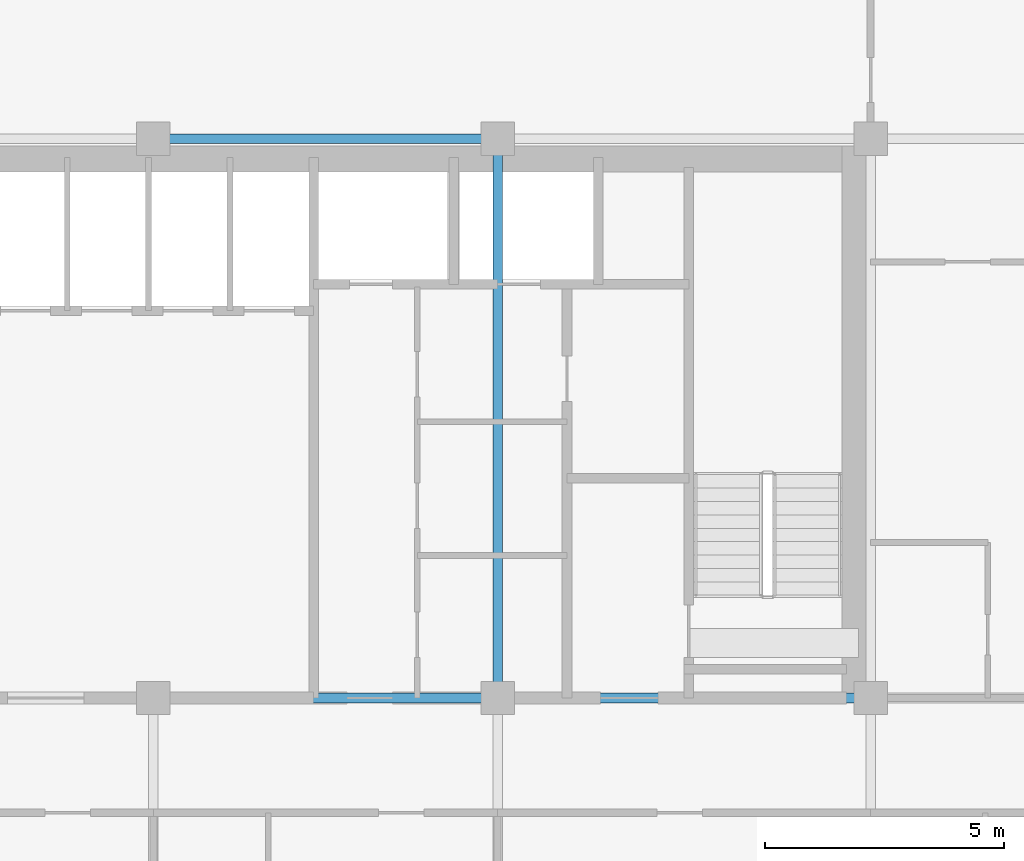
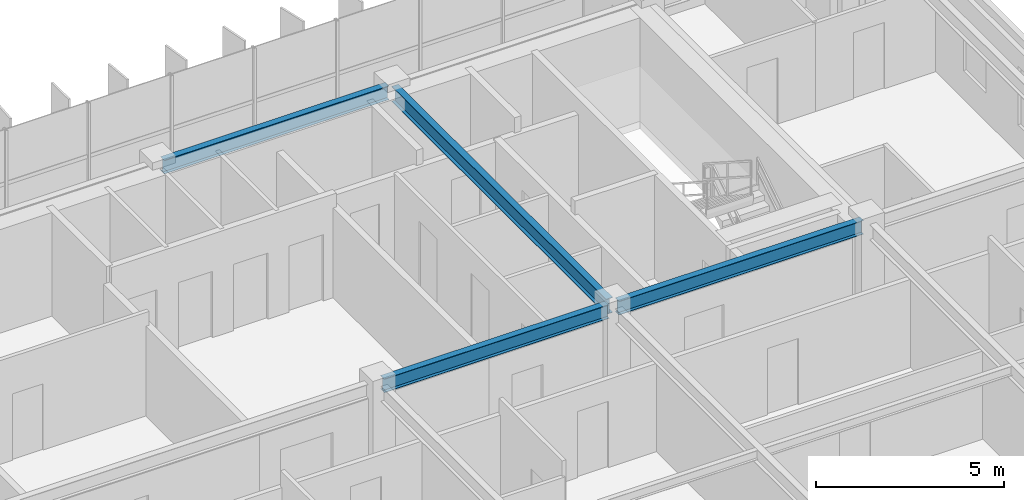
# One storey, part 10 of 23: 4 beams.
"""IFC4 building model written with IfcOpenShell, lengths in metres."""

import ifcopenshell
import ifcopenshell.guid

model = None  # the IFC model being written
_history = None  # IfcOwnerHistory: only IFC2X3 demands one
_inside = {}  # id of a spatial element -> (the spatial element, [elements in it])
_under = {}  # id of a project, library or spatial element -> (it, [spatial elements below it])
_declared = {}  # id of a project -> (the project, [libraries it declares])
_typed = {}  # id of a type object -> (the type object, [elements of that type])
_made_of = {}  # id of a material, layer set ... -> (it, [elements and type objects made of it])


def new_model(schema):
    """Start an empty IFC model of exactly this schema.

    Asked for "IFC4X3", IfcOpenShell would pick the latest addendum, in which some entities
    have other attributes; the version numbers below select the first issue.
    IFC2X3 requires an IfcOwnerHistory on every rooted entity: one is made here for all.
    """
    global model, _history
    if schema == "IFC4X3":
        model = ifcopenshell.file(schema_version=(4, 3, 0, 0))
    else:
        model = ifcopenshell.file(schema=schema)
    _inside.clear()
    _under.clear()
    _declared.clear()
    _typed.clear()
    _made_of.clear()
    _history = None
    if model.schema == "IFC2X3":
        org = make("IfcOrganization", Name="unknown")
        user = make(
            "IfcPersonAndOrganization",
            ThePerson=make("IfcPerson", FamilyName="unknown"),
            TheOrganization=org,
        )
        app = make(
            "IfcApplication",
            ApplicationDeveloper=org,
            Version="unknown",
            ApplicationFullName="unknown",
            ApplicationIdentifier="unknown",
        )
        _history = make(
            "IfcOwnerHistory",
            OwningUser=user,
            OwningApplication=app,
            ChangeAction="ADDED",
            CreationDate=0,
        )
    return model


def make(cls, **values):
    """One entity of the class cls with the attributes given. An attribute that is None is left unset."""
    return model.create_entity(
        cls, **{name: value for name, value in values.items() if value is not None}
    )


def rooted(cls, **values):
    """An entity with a GlobalId (a new one), such as an element, a storey or a relation."""
    return make(cls, GlobalId=ifcopenshell.guid.new(), OwnerHistory=_history, **values)


def si_unit(unit_type, name, prefix=None):
    """IfcSIUnit, for example si_unit("LENGTHUNIT", "METRE", prefix="MILLI")."""
    return make("IfcSIUnit", UnitType=unit_type, Prefix=prefix, Name=name)


def assignment(units):
    """IfcUnitAssignment: the units of a project."""
    return None if units is None else make("IfcUnitAssignment", Units=units)


def point(xyz):
    """IfcCartesianPoint."""
    return None if xyz is None else make("IfcCartesianPoint", Coordinates=xyz)


def direction(xyz):
    """IfcDirection."""
    return None if xyz is None else make("IfcDirection", DirectionRatios=xyz)


def frame(location, z_axis=None, x_axis=None):
    """IfcAxis2Placement3D, a coordinate frame: its origin and axes. An axis left out is left unset."""
    return make(
        "IfcAxis2Placement3D",
        Location=point(location),
        Axis=direction(z_axis),
        RefDirection=direction(x_axis),
    )


def frame_2d(location, x_axis=None):
    """IfcAxis2Placement2D, a coordinate frame in the plane: its origin and x axis."""
    return make(
        "IfcAxis2Placement2D", Location=point(location), RefDirection=direction(x_axis)
    )


def origin():
    """The frame at (0, 0, 0) with its axes left unset."""
    return frame((0.0, 0.0, 0.0))


def origin_2d():
    """The frame at (0, 0) in the plane with its x axis left unset."""
    return frame_2d((0.0, 0.0))


def place(relative_to, where):
    """IfcLocalPlacement: puts the frame where relative to a parent placement (None: the world)."""
    return make(
        "IfcLocalPlacement", PlacementRelTo=relative_to, RelativePlacement=where
    )


def context(
    kind, dimensions, precision=None, world=None, true_north=None, identifier=None
):
    """IfcGeometricRepresentationContext, for example the 3D "Model" context."""
    return make(
        "IfcGeometricRepresentationContext",
        ContextIdentifier=identifier,
        ContextType=kind,
        CoordinateSpaceDimension=dimensions,
        Precision=precision,
        WorldCoordinateSystem=world,
        TrueNorth=true_north,
    )


def subcontext(parent, identifier, kind, view, scale=None):
    """IfcGeometricRepresentationSubContext, for example "Body" below "Model"."""
    return make(
        "IfcGeometricRepresentationSubContext",
        ContextIdentifier=identifier,
        ContextType=kind,
        ParentContext=parent,
        TargetScale=scale,
        TargetView=view,
    )


def project(units=None, contexts=None):
    """IfcProject with its units and contexts."""
    return rooted(
        "IfcProject",
        Name="project",
        RepresentationContexts=contexts,
        UnitsInContext=assignment(units),
    )


def spatial(cls, under=None, at=None, **own):
    """A site, building, storey or space (cls), placed at a placement, below another one or the project."""
    s = rooted(cls, ObjectPlacement=at, **own)
    if under is not None:
        _under.setdefault(under.id(), (under, []))[1].append(s)
    return s


def profile(cls, at=None, kind="AREA", **sizes):
    """A parametric profile (cls). Its sizes go by their IFC names, for example OverallWidth=200.0."""
    return make(cls, ProfileType=kind, Position=at, **sizes)


def i_section(**sizes):
    """IfcIShapeProfileDef."""
    return profile("IfcIShapeProfileDef", **sizes)


def extrude(swept, where, along, depth):
    """IfcExtrudedAreaSolid: the profile swept, set in the frame where, extruded along a direction by depth."""
    return make(
        "IfcExtrudedAreaSolid",
        SweptArea=swept,
        Position=where,
        ExtrudedDirection=direction(along),
        Depth=depth,
    )


def shape(context_of_items, identifier, shape_type, items):
    """IfcShapeRepresentation: the items that make up one representation, for example the "Body"."""
    return make(
        "IfcShapeRepresentation",
        ContextOfItems=context_of_items,
        RepresentationIdentifier=identifier,
        RepresentationType=shape_type,
        Items=items,
    )


def source(mapping_origin, context_of_items, identifier, shape_type, items):
    """IfcRepresentationMap: a shape defined once, which mapped items show again and again."""
    return make(
        "IfcRepresentationMap",
        MappingOrigin=mapping_origin,
        MappedRepresentation=shape(context_of_items, identifier, shape_type, items),
    )


def transform(
    local_origin,
    x_axis=None,
    y_axis=None,
    z_axis=None,
    scale=None,
    scale2=None,
    scale3=None,
    uniform=True,
):
    """IfcCartesianTransformationOperator3D, or its non-uniform kind. x_axis, y_axis, z_axis: its Axis1, 2, 3."""
    if uniform:
        return make(
            "IfcCartesianTransformationOperator3D",
            Axis1=direction(x_axis),
            Axis2=direction(y_axis),
            LocalOrigin=point(local_origin),
            Scale=scale,
            Axis3=direction(z_axis),
        )
    return make(
        "IfcCartesianTransformationOperator3DnonUniform",
        Axis1=direction(x_axis),
        Axis2=direction(y_axis),
        LocalOrigin=point(local_origin),
        Scale=scale,
        Axis3=direction(z_axis),
        Scale2=scale2,
        Scale3=scale3,
    )


def mapped(mapping_source, mapping_target):
    """IfcMappedItem: shows the shape of a source again, moved by a transform."""
    return make(
        "IfcMappedItem", MappingSource=mapping_source, MappingTarget=mapping_target
    )


def material(Name=None, Category=None):
    """IfcMaterial."""
    return make("IfcMaterial", Name=Name, Category=Category)


def material_profile(
    of_material, cross_section, Name=None, Category=None, Priority=None
):
    """IfcMaterialProfile: a cross section and its material."""
    return make(
        "IfcMaterialProfile",
        Name=Name,
        Material=of_material,
        Profile=cross_section,
        Priority=Priority,
        Category=Category,
    )


def profile_set(profiles, Name=None, composite=None):
    """IfcMaterialProfileSet."""
    return make(
        "IfcMaterialProfileSet",
        Name=Name,
        MaterialProfiles=profiles,
        CompositeProfile=composite,
    )


def made_of(thing, what):
    """Note that an element or type object is made of a material, layer set ...; save() writes the relation."""
    if what is not None:
        _made_of.setdefault(what.id(), (what, []))[1].append(thing)
    return thing


def type_object(cls, material=None, **own):
    """A type object (cls), such as IfcWallType, which elements share."""
    return made_of(rooted(cls, **own), material)


def element(
    cls,
    number,
    at=None,
    inside=None,
    cuts=None,
    type_object=None,
    material=None,
    context=None,
    identifier="Body",
    shape_type=None,
    held_by="IfcProductDefinitionShape",
    body=None,
    shapes=None,
    **own,
):
    """One element of the class cls, such as IfcWall. Its Tag is "e" and its number.

    at: its placement. inside: the storey or other place that contains it. cuts: it is an
    opening in that element (IfcRelVoidsElement). A single representation is given by context,
    identifier, shape_type and body (its items); several are given by shapes. held_by: the class
    of the entity that holds the representations. save() writes the other relations.
    """
    e = rooted(cls, Tag="e%d" % number, ObjectPlacement=at, **own)
    if body is not None:
        shapes = [shape(context, identifier, shape_type, body)]
    if shapes is not None:
        e.Representation = make(held_by, Representations=shapes)
    if inside is not None:
        _inside.setdefault(inside.id(), (inside, []))[1].append(e)
    if cuts is not None:
        rooted(
            "IfcRelVoidsElement", RelatingBuildingElement=cuts, RelatedOpeningElement=e
        )
    if type_object is not None:
        _typed.setdefault(type_object.id(), (type_object, []))[1].append(e)
    return made_of(e, material)


def aggregate(whole, parts):
    """IfcRelAggregates: a whole, such as a stair, and the parts it consists of."""
    return rooted("IfcRelAggregates", RelatingObject=whole, RelatedObjects=parts)


def save(model, path):
    """Write the relations noted so far, then the file.

    IfcRelAggregates (storeys below a building ...), IfcRelContainedInSpatialStructure (elements
    in a storey), IfcRelDefinesByType, IfcRelAssociatesMaterial and IfcRelDeclares: one each for
    every whole, place, type object, material and project.
    """
    for whole, parts in _under.values():
        aggregate(whole, parts)
    for where, things in _inside.values():
        rooted(
            "IfcRelContainedInSpatialStructure",
            RelatedElements=things,
            RelatingStructure=where,
        )
    for kind, things in _typed.values():
        rooted("IfcRelDefinesByType", RelatedObjects=things, RelatingType=kind)
    for what, things in _made_of.values():
        rooted("IfcRelAssociatesMaterial", RelatedObjects=things, RelatingMaterial=what)
    for by, libraries in _declared.values():
        rooted("IfcRelDeclares", RelatingContext=by, RelatedDefinitions=libraries)
    model.write(path)


model = new_model("IFC4")

# Units and contexts
model_context = context("Model", 3, precision=1e-05, world=origin(), true_north=direction((0.0, 1.0)))
body_context = subcontext(model_context, "Body", "Model", "MODEL_VIEW")
ifc_project = project(units=[si_unit("LENGTHUNIT", "METRE"), si_unit("AREAUNIT", "SQUARE_METRE"), si_unit("VOLUMEUNIT", "CUBIC_METRE"), si_unit("PLANEANGLEUNIT", "RADIAN"), si_unit("MASSUNIT", "GRAM", prefix="KILO")], contexts=[model_context])

# Site, building, storey
site_placement = place(None, origin())
site = spatial("IfcSite", under=ifc_project, at=site_placement, CompositionType="ELEMENT")
building_placement = place(site_placement, origin())
building = spatial("IfcBuilding", under=site, at=building_placement, Name="Trelvane Seafront Commons", CompositionType="ELEMENT")
storey_placement = place(building_placement, frame((0.0, 0.0, 222.89990234375)))
storey = spatial("IfcBuildingStorey", under=building, at=storey_placement, Name="L58", CompositionType="ELEMENT", Elevation=222.89990234375)

# Beams
ifc_material = material(Name="Steel SM355 (S355)", Category="steel")
ifc_material_profile_1 = material_profile(ifc_material, i_section(OverallWidth=0.199951171875, OverallDepth=0.5, WebThickness=0.010009765625, FlangeThickness=0.01611328125, at=origin_2d()), Name="H-500x200x10x16")
ifc_profile_set_1 = profile_set([ifc_material_profile_1], Name="Steel SM355 (S355)")
beam_type_1 = type_object("IfcBeamType", Name="STR-BM-H500", PredefinedType="BEAM", material=ifc_profile_set_1)
shared_shape_1 = source(origin(), body_context, "Body", "SweptSolid", [
    extrude(i_section(OverallWidth=0.199951171875, OverallDepth=0.5, WebThickness=0.010009765625, FlangeThickness=0.01611328125, at=origin_2d()), origin(), (0.0, 0.0, 1.0), 11.39990234375),
])
beam_1_placement = place(storey_placement, frame((51.0, 33.550048828125, 3.110107421875), z_axis=(0.0, 1.0, 0.0), x_axis=(-1.0, 0.0, 0.0)))
element("IfcBeam", 1, at=beam_1_placement, inside=storey, type_object=beam_type_1, Name="L58 Primary Girder G-46", PredefinedType="BEAM", context=body_context, shape_type="MappedRepresentation", body=[
    mapped(shared_shape_1, transform((0.0, 0.0, 0.0), x_axis=(1.0, 0.0, 0.0), y_axis=(0.0, 1.0, 0.0), z_axis=(0.0, 0.0, 1.0), scale=1.0)),
])
ifc_material_profile_2 = material_profile(ifc_material, i_section(OverallWidth=0.199951171875, OverallDepth=0.449951171875, WebThickness=0.009033203125, FlangeThickness=0.013916015625, at=origin_2d()), Name="H-450x200x9x14")
ifc_profile_set_2 = profile_set([ifc_material_profile_2], Name="Steel SM355 (S355)")
beam_type_2 = type_object("IfcBeamType", Name="STR-SPD-H450", PredefinedType="SPANDREL", material=ifc_profile_set_2)
shared_shape_2 = source(origin(), body_context, "Body", "SweptSolid", [
    extrude(i_section(OverallWidth=0.199951171875, OverallDepth=0.449951171875, WebThickness=0.009033203125, FlangeThickness=0.013916015625, at=origin_2d()), origin(), (0.0, 0.0, 1.0), 7.5),
])
beam_2_placement = place(storey_placement, frame((51.14990234375, 33.39990234375, 3.135009765625), z_axis=(1.0, 0.0, 0.0), x_axis=(0.0, 1.0, 0.0)))
element("IfcBeam", 2, at=beam_2_placement, inside=storey, type_object=beam_type_2, Name="L58 Primary Girder G-20", PredefinedType="SPANDREL", context=body_context, shape_type="MappedRepresentation", body=[
    mapped(shared_shape_2, transform((0.0, 0.0, 0.0), x_axis=(1.0, 0.0, 0.0), y_axis=(0.0, 1.0, 0.0), z_axis=(0.0, 0.0, 1.0), scale=1.0)),
])
shared_shape_3 = source(origin(), body_context, "Body", "SweptSolid", [
    extrude(i_section(OverallWidth=0.199951171875, OverallDepth=0.449951171875, WebThickness=0.009033203125, FlangeThickness=0.013916015625, at=origin_2d()), origin(), (0.0, 0.0, 1.0), 6.900146484375),
])
for number, where, z_axis, x_axis, name in (
    (3, (43.949951171875, 33.39990234375, 3.135009765625), (1.0, 0.0, 0.0), (0.0, 1.0, 0.0), "L58 Primary Girder G-19"),
    (4, (43.949951171875, 45.10009765625, 3.135009765625), (1.0, 0.0, 0.0), (0.0, 1.0, 0.0), "L58 Primary Girder G-26"),
):
    element("IfcBeam", number, at=place(storey_placement, frame(where, z_axis=z_axis, x_axis=x_axis)), inside=storey, type_object=beam_type_2, Name=name, PredefinedType="SPANDREL", context=body_context, shape_type="MappedRepresentation", body=[
        mapped(shared_shape_3, transform((0.0, 0.0, 0.0), x_axis=(1.0, 0.0, 0.0), y_axis=(0.0, 1.0, 0.0), z_axis=(0.0, 0.0, 1.0), scale=1.0)),
    ])

save(model, "model.ifc")
